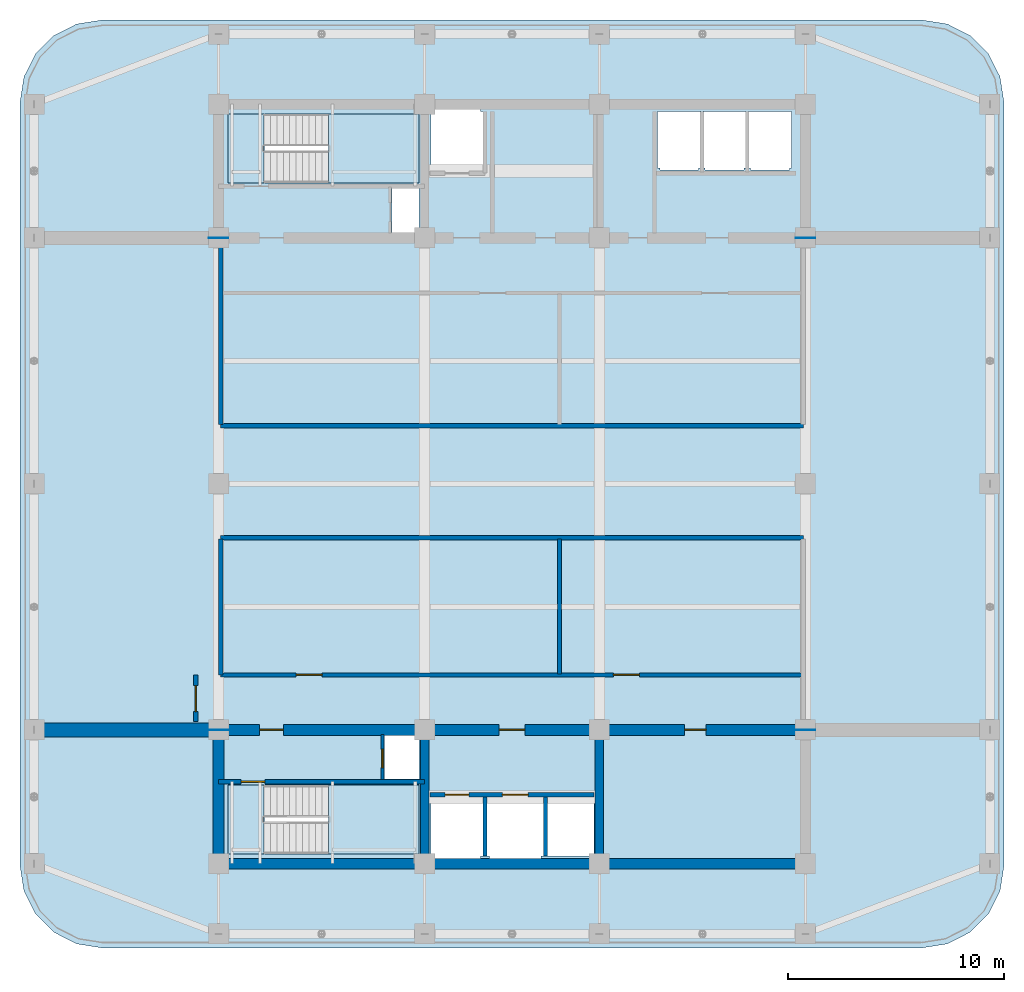
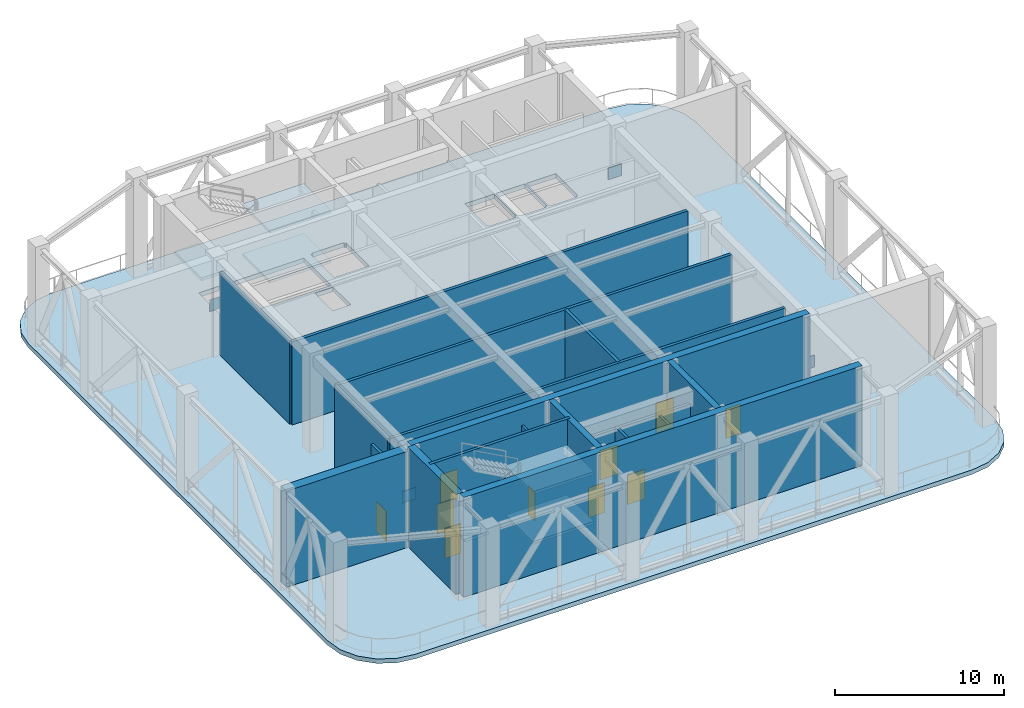
# One storey, part 9 of 20: 18 walls, 10 doors, 7 slabs, 4 plates, 10 openings, 2 elements without a shape of their own.
"""IFC4 building model written with IfcOpenShell, lengths in metres."""

import ifcopenshell
import ifcopenshell.guid

model = None  # the IFC model being written
_history = None  # IfcOwnerHistory: only IFC2X3 demands one
_inside = {}  # id of a spatial element -> (the spatial element, [elements in it])
_under = {}  # id of a project, library or spatial element -> (it, [spatial elements below it])
_declared = {}  # id of a project -> (the project, [libraries it declares])
_typed = {}  # id of a type object -> (the type object, [elements of that type])
_made_of = {}  # id of a material, layer set ... -> (it, [elements and type objects made of it])


def new_model(schema):
    """Start an empty IFC model of exactly this schema.

    Asked for "IFC4X3", IfcOpenShell would pick the latest addendum, in which some entities
    have other attributes; the version numbers below select the first issue.
    IFC2X3 requires an IfcOwnerHistory on every rooted entity: one is made here for all.
    """
    global model, _history
    if schema == "IFC4X3":
        model = ifcopenshell.file(schema_version=(4, 3, 0, 0))
    else:
        model = ifcopenshell.file(schema=schema)
    _inside.clear()
    _under.clear()
    _declared.clear()
    _typed.clear()
    _made_of.clear()
    _history = None
    if model.schema == "IFC2X3":
        org = make("IfcOrganization", Name="unknown")
        user = make(
            "IfcPersonAndOrganization",
            ThePerson=make("IfcPerson", FamilyName="unknown"),
            TheOrganization=org,
        )
        app = make(
            "IfcApplication",
            ApplicationDeveloper=org,
            Version="unknown",
            ApplicationFullName="unknown",
            ApplicationIdentifier="unknown",
        )
        _history = make(
            "IfcOwnerHistory",
            OwningUser=user,
            OwningApplication=app,
            ChangeAction="ADDED",
            CreationDate=0,
        )
    return model


def make(cls, **values):
    """One entity of the class cls with the attributes given. An attribute that is None is left unset."""
    return model.create_entity(
        cls, **{name: value for name, value in values.items() if value is not None}
    )


def rooted(cls, **values):
    """An entity with a GlobalId (a new one), such as an element, a storey or a relation."""
    return make(cls, GlobalId=ifcopenshell.guid.new(), OwnerHistory=_history, **values)


def si_unit(unit_type, name, prefix=None):
    """IfcSIUnit, for example si_unit("LENGTHUNIT", "METRE", prefix="MILLI")."""
    return make("IfcSIUnit", UnitType=unit_type, Prefix=prefix, Name=name)


def assignment(units):
    """IfcUnitAssignment: the units of a project."""
    return None if units is None else make("IfcUnitAssignment", Units=units)


def point(xyz):
    """IfcCartesianPoint."""
    return None if xyz is None else make("IfcCartesianPoint", Coordinates=xyz)


def direction(xyz):
    """IfcDirection."""
    return None if xyz is None else make("IfcDirection", DirectionRatios=xyz)


def frame(location, z_axis=None, x_axis=None):
    """IfcAxis2Placement3D, a coordinate frame: its origin and axes. An axis left out is left unset."""
    return make(
        "IfcAxis2Placement3D",
        Location=point(location),
        Axis=direction(z_axis),
        RefDirection=direction(x_axis),
    )


def frame_2d(location, x_axis=None):
    """IfcAxis2Placement2D, a coordinate frame in the plane: its origin and x axis."""
    return make(
        "IfcAxis2Placement2D", Location=point(location), RefDirection=direction(x_axis)
    )


def origin():
    """The frame at (0, 0, 0) with its axes left unset."""
    return frame((0.0, 0.0, 0.0))


def origin_2d():
    """The frame at (0, 0) in the plane with its x axis left unset."""
    return frame_2d((0.0, 0.0))


def place(relative_to, where):
    """IfcLocalPlacement: puts the frame where relative to a parent placement (None: the world)."""
    return make(
        "IfcLocalPlacement", PlacementRelTo=relative_to, RelativePlacement=where
    )


def context(
    kind, dimensions, precision=None, world=None, true_north=None, identifier=None
):
    """IfcGeometricRepresentationContext, for example the 3D "Model" context."""
    return make(
        "IfcGeometricRepresentationContext",
        ContextIdentifier=identifier,
        ContextType=kind,
        CoordinateSpaceDimension=dimensions,
        Precision=precision,
        WorldCoordinateSystem=world,
        TrueNorth=true_north,
    )


def subcontext(parent, identifier, kind, view, scale=None):
    """IfcGeometricRepresentationSubContext, for example "Body" below "Model"."""
    return make(
        "IfcGeometricRepresentationSubContext",
        ContextIdentifier=identifier,
        ContextType=kind,
        ParentContext=parent,
        TargetScale=scale,
        TargetView=view,
    )


def project(units=None, contexts=None):
    """IfcProject with its units and contexts."""
    return rooted(
        "IfcProject",
        Name="project",
        RepresentationContexts=contexts,
        UnitsInContext=assignment(units),
    )


def spatial(cls, under=None, at=None, **own):
    """A site, building, storey or space (cls), placed at a placement, below another one or the project."""
    s = rooted(cls, ObjectPlacement=at, **own)
    if under is not None:
        _under.setdefault(under.id(), (under, []))[1].append(s)
    return s


def polyline(points):
    """IfcPolyline through the points."""
    return make("IfcPolyline", Points=[point(p) for p in points])


def profile(cls, at=None, kind="AREA", **sizes):
    """A parametric profile (cls). Its sizes go by their IFC names, for example OverallWidth=200.0."""
    return make(cls, ProfileType=kind, Position=at, **sizes)


def rectangle(**sizes):
    """IfcRectangleProfileDef."""
    return profile("IfcRectangleProfileDef", **sizes)


def outline(outer, holes=None, kind="AREA"):
    """IfcArbitraryClosedProfileDef: a profile drawn as a closed curve; with holes, ...WithVoids."""
    if holes is None:
        return make("IfcArbitraryClosedProfileDef", ProfileType=kind, OuterCurve=outer)
    return make(
        "IfcArbitraryProfileDefWithVoids",
        ProfileType=kind,
        OuterCurve=outer,
        InnerCurves=holes,
    )


def extrude(swept, where, along, depth):
    """IfcExtrudedAreaSolid: the profile swept, set in the frame where, extruded along a direction by depth."""
    return make(
        "IfcExtrudedAreaSolid",
        SweptArea=swept,
        Position=where,
        ExtrudedDirection=direction(along),
        Depth=depth,
    )


def shape(context_of_items, identifier, shape_type, items):
    """IfcShapeRepresentation: the items that make up one representation, for example the "Body"."""
    return make(
        "IfcShapeRepresentation",
        ContextOfItems=context_of_items,
        RepresentationIdentifier=identifier,
        RepresentationType=shape_type,
        Items=items,
    )


def material(Name=None, Category=None):
    """IfcMaterial."""
    return make("IfcMaterial", Name=Name, Category=Category)


def layer(
    of_material, thickness, ventilated=None, Name=None, Category=None, Priority=None
):
    """IfcMaterialLayer: one layer of a wall or slab, of a material (None: an air gap)."""
    return make(
        "IfcMaterialLayer",
        Material=of_material,
        LayerThickness=thickness,
        IsVentilated=ventilated,
        Name=Name,
        Category=Category,
        Priority=Priority,
    )


def layer_set(layers, Name=None):
    """IfcMaterialLayerSet."""
    return make("IfcMaterialLayerSet", MaterialLayers=layers, LayerSetName=Name)


def made_of(thing, what):
    """Note that an element or type object is made of a material, layer set ...; save() writes the relation."""
    if what is not None:
        _made_of.setdefault(what.id(), (what, []))[1].append(thing)
    return thing


def type_object(cls, material=None, **own):
    """A type object (cls), such as IfcWallType, which elements share."""
    return made_of(rooted(cls, **own), material)


def element(
    cls,
    number,
    at=None,
    inside=None,
    cuts=None,
    type_object=None,
    material=None,
    context=None,
    identifier="Body",
    shape_type=None,
    held_by="IfcProductDefinitionShape",
    body=None,
    shapes=None,
    **own,
):
    """One element of the class cls, such as IfcWall. Its Tag is "e" and its number.

    at: its placement. inside: the storey or other place that contains it. cuts: it is an
    opening in that element (IfcRelVoidsElement). A single representation is given by context,
    identifier, shape_type and body (its items); several are given by shapes. held_by: the class
    of the entity that holds the representations. save() writes the other relations.
    """
    e = rooted(cls, Tag="e%d" % number, ObjectPlacement=at, **own)
    if body is not None:
        shapes = [shape(context, identifier, shape_type, body)]
    if shapes is not None:
        e.Representation = make(held_by, Representations=shapes)
    if inside is not None:
        _inside.setdefault(inside.id(), (inside, []))[1].append(e)
    if cuts is not None:
        rooted(
            "IfcRelVoidsElement", RelatingBuildingElement=cuts, RelatedOpeningElement=e
        )
    if type_object is not None:
        _typed.setdefault(type_object.id(), (type_object, []))[1].append(e)
    return made_of(e, material)


def fill(opening, filler):
    """IfcRelFillsElement: the door or window that sits in an opening."""
    return rooted(
        "IfcRelFillsElement",
        RelatingOpeningElement=opening,
        RelatedBuildingElement=filler,
    )


def aggregate(whole, parts):
    """IfcRelAggregates: a whole, such as a stair, and the parts it consists of."""
    return rooted("IfcRelAggregates", RelatingObject=whole, RelatedObjects=parts)


def save(model, path):
    """Write the relations noted so far, then the file.

    IfcRelAggregates (storeys below a building ...), IfcRelContainedInSpatialStructure (elements
    in a storey), IfcRelDefinesByType, IfcRelAssociatesMaterial and IfcRelDeclares: one each for
    every whole, place, type object, material and project.
    """
    for whole, parts in _under.values():
        aggregate(whole, parts)
    for where, things in _inside.values():
        rooted(
            "IfcRelContainedInSpatialStructure",
            RelatedElements=things,
            RelatingStructure=where,
        )
    for kind, things in _typed.values():
        rooted("IfcRelDefinesByType", RelatedObjects=things, RelatingType=kind)
    for what, things in _made_of.values():
        rooted("IfcRelAssociatesMaterial", RelatedObjects=things, RelatingMaterial=what)
    for by, libraries in _declared.values():
        rooted("IfcRelDeclares", RelatingContext=by, RelatedDefinitions=libraries)
    model.write(path)


model = new_model("IFC4")

# Units and contexts
model_context = context("Model", 3, precision=1e-05, world=origin(), true_north=direction((0.0, 1.0)))
body_context = subcontext(model_context, "Body", "Model", "MODEL_VIEW")
ifc_project = project(units=[si_unit("LENGTHUNIT", "METRE"), si_unit("AREAUNIT", "SQUARE_METRE"), si_unit("VOLUMEUNIT", "CUBIC_METRE"), si_unit("PLANEANGLEUNIT", "RADIAN"), si_unit("MASSUNIT", "GRAM", prefix="KILO")], contexts=[model_context])

# Site, building, storey
site_placement = place(None, origin())
site = spatial("IfcSite", under=ifc_project, at=site_placement, CompositionType="ELEMENT")
building_placement = place(site_placement, origin())
building = spatial("IfcBuilding", under=site, at=building_placement, Name="Svetorya Sky Lyceum", CompositionType="ELEMENT")
storey_placement = place(building_placement, frame((0.0, 0.0, 195.89990234375)))
storey = spatial("IfcBuildingStorey", under=building, at=storey_placement, Name="L49", CompositionType="ELEMENT", Elevation=195.89990234375)

# Plates
ifc_material_1 = material(Name="Steel S355", Category="steel")
ifc_layer_1 = layer(ifc_material_1, 0.02392578125)
ifc_layer_set_1 = layer_set([ifc_layer_1], Name="Steel S355")
plate_type = type_object("IfcPlateType", Name="PL-GUSSET-24", PredefinedType="USERDEFINED", material=ifc_layer_set_1)
for number, where, z_axis, x_axis, name in (
    (1, (25.60009765625, 16.800048828125, 3.045166015625), (0.0, 0.0, 1.0), (1.0, 0.0, 0.0), "L49 Outrigger Core Gusset Plate 1"),
    (2, (52.800048828125, 16.800048828125, 3.045166015625), (0.0, 0.0, 1.0), (1.0, 0.0, 0.0), "L49 Outrigger Core Gusset Plate 2"),
    (3, (25.60009765625, 39.60009765625, 3.045166015625), (0.0, 0.0, 1.0), (1.0, 0.0, 0.0), "L49 Outrigger Core Gusset Plate 3"),
    (4, (52.800048828125, 39.60009765625, 3.045166015625), (0.0, 0.0, 1.0), (1.0, 0.0, 0.0), "L49 Outrigger Core Gusset Plate 4"),
):
    element("IfcPlate", number, at=place(storey_placement, frame(where, z_axis=z_axis, x_axis=x_axis)), inside=storey, type_object=plate_type, Name=name, ObjectType="GUSSET", PredefinedType="USERDEFINED", context=body_context, shape_type="SweptSolid", body=[
        extrude(rectangle(XDim=0.89990234375, YDim=0.02392578125, at=origin_2d()), origin(), (0.0, 0.0, 1.0), 0.85009765625),
    ])

# Slab
ifc_material_2 = material(Name="Concrete C50/60", Category="concrete")
ifc_layer_2 = layer(ifc_material_2, 0.320068359375)
ifc_layer_set_2 = layer_set([ifc_layer_2], Name="Concrete C50/60")
slab_type_1 = type_object("IfcSlabType", Name="SL-PRT-320", PredefinedType="FLOOR", material=ifc_layer_set_2)
slab_1_placement = place(storey_placement, frame((0.0, 0.0, -0.31982421875)))
element("IfcSlab", 5, at=slab_1_placement, inside=storey, type_object=slab_type_1, Name="L49 Structural Floor Slab", PredefinedType="FLOOR", context=body_context, shape_type="SweptSolid", body=[
    extrude(outline(polyline([(16.39990234375, 10.5), (16.5859375, 9.32568359375), (17.125732421875, 8.266357421875), (17.96630859375, 7.42578125), (19.025634765625, 6.885986328125), (20.199951171875, 6.699951171875), (58.199951171875, 6.699951171875), (59.374267578125, 6.885986328125), (60.43359375, 7.42578125), (61.2744140625, 8.266357421875), (61.81396484375, 9.32568359375), (62.0, 10.5), (62.0, 45.89990234375), (61.81396484375, 47.07421875), (61.2744140625, 48.133544921875), (60.43359375, 48.974365234375), (59.374267578125, 49.513916015625), (58.199951171875, 49.699951171875), (20.199951171875, 49.699951171875), (19.025634765625, 49.513916015625), (17.96630859375, 48.974365234375), (17.125732421875, 48.133544921875), (16.5859375, 47.07421875), (16.39990234375, 45.89990234375), (16.39990234375, 10.5)]), holes=[polyline([(37.85009765625, 10.949951171875), (37.75, 10.949951171875), (37.75, 10.85009765625), (35.550048828125, 10.85009765625), (35.550048828125, 10.949951171875), (35.449951171875, 10.949951171875), (35.449951171875, 13.64990234375), (35.550048828125, 13.64990234375), (37.75, 13.64990234375), (37.85009765625, 13.64990234375), (37.85009765625, 10.949951171875)]), polyline([(38.14990234375, 10.800048828125), (38.14990234375, 10.949951171875), (38.050048828125, 10.949951171875), (38.050048828125, 13.64990234375), (38.14990234375, 13.64990234375), (38.14990234375, 13.699951171875), (40.550048828125, 13.699951171875), (40.550048828125, 13.64990234375), (40.64990234375, 13.64990234375), (40.64990234375, 10.949951171875), (40.550048828125, 10.949951171875), (40.550048828125, 10.800048828125), (38.14990234375, 10.800048828125)]), polyline([(27.719970703125, 11.050048828125), (27.719970703125, 14.25), (34.89990234375, 14.25), (34.89990234375, 11.050048828125), (27.719970703125, 11.050048828125)]), polyline([(33.300048828125, 14.52001953125), (33.300048828125, 16.580078125), (34.89990234375, 16.580078125), (34.89990234375, 14.52001953125), (33.300048828125, 14.52001953125)]), polyline([(33.64990234375, 39.820068359375), (33.64990234375, 41.89990234375), (34.89990234375, 41.89990234375), (34.89990234375, 39.820068359375), (33.64990234375, 39.820068359375)]), polyline([(27.719970703125, 42.14990234375), (27.719970703125, 45.35009765625), (34.89990234375, 45.35009765625), (34.89990234375, 42.14990234375), (27.719970703125, 42.14990234375)]), polyline([(37.75, 42.75), (35.550048828125, 42.75), (35.449951171875, 42.75), (35.449951171875, 45.449951171875), (35.550048828125, 45.449951171875), (35.550048828125, 45.550048828125), (37.75, 45.550048828125), (37.75, 45.449951171875), (37.85009765625, 45.449951171875), (37.85009765625, 42.75), (37.75, 42.75)]), polyline([(40.85009765625, 10.949951171875), (40.85009765625, 13.64990234375), (43.0, 13.64990234375), (43.0, 10.949951171875), (40.85009765625, 10.949951171875)]), polyline([(46.050048828125, 42.75), (46.050048828125, 42.85009765625), (45.949951171875, 42.85009765625), (45.949951171875, 45.449951171875), (46.050048828125, 45.449951171875), (47.85009765625, 45.449951171875), (47.949951171875, 45.449951171875), (47.949951171875, 42.85009765625), (47.85009765625, 42.85009765625), (47.85009765625, 42.75), (46.050048828125, 42.75)]), polyline([(50.050048828125, 42.85009765625), (49.949951171875, 42.85009765625), (49.949951171875, 42.75), (48.14990234375, 42.75), (48.14990234375, 42.85009765625), (48.050048828125, 42.85009765625), (48.050048828125, 45.449951171875), (48.14990234375, 45.449951171875), (49.949951171875, 45.449951171875), (50.050048828125, 45.449951171875), (50.050048828125, 42.85009765625)]), polyline([(52.14990234375, 42.85009765625), (52.050048828125, 42.85009765625), (52.050048828125, 42.75), (50.25, 42.75), (50.25, 42.85009765625), (50.14990234375, 42.85009765625), (50.14990234375, 45.449951171875), (50.25, 45.449951171875), (52.050048828125, 45.449951171875), (52.14990234375, 45.449951171875), (52.14990234375, 42.85009765625)])]), origin(), (0.0, 0.0, 1.0), 0.31982421875),
])

# Stair, slabs
ifc_material_3 = material(Name="Concrete C40/50", Category="concrete")
stair_type_1 = type_object("IfcStairType", Name="STR-ST-S", PredefinedType="HALF_TURN_STAIR", material=ifc_material_3)
stair_1_placement = place(storey_placement, origin())
stair_1 = element("IfcStair", 6, at=stair_1_placement, inside=storey, type_object=stair_type_1, Name="L49 South Core Smoke-Free Exit Stair N2", PredefinedType="HALF_TURN_STAIR")
ifc_layer_3 = layer(ifc_material_3, 0.199951171875)
ifc_layer_set_3 = layer_set([ifc_layer_3], Name="Concrete C40/50")
slab_type_2 = type_object("IfcSlabType", Name="SL-STR-LAND-200", PredefinedType="LANDING", material=ifc_layer_set_3)
slab_2_placement = place(storey_placement, frame((0.0, 0.0, 1.60009765625)))
slab_2 = element("IfcSlab", 7, at=slab_2_placement, type_object=slab_type_2, Name="ST-S landing 1", PredefinedType="LANDING", context=body_context, shape_type="SweptSolid", body=[
    extrude(outline(polyline([(30.699951171875, 11.050048828125), (34.89990234375, 11.050048828125), (34.89990234375, 14.25), (30.699951171875, 14.25), (30.699951171875, 11.050048828125)])), origin(), (0.0, 0.0, 1.0), 0.199951171875),
])
slab_3_placement = place(storey_placement, frame((0.0, 0.0, 3.400146484375)))
slab_3 = element("IfcSlab", 8, at=slab_3_placement, type_object=slab_type_2, Name="ST-S landing 2", PredefinedType="LANDING", context=body_context, shape_type="SweptSolid", body=[
    extrude(outline(polyline([(26.050048828125, 11.050048828125), (27.699951171875, 11.050048828125), (27.699951171875, 14.25), (26.050048828125, 14.25), (26.050048828125, 11.050048828125)])), origin(), (0.0, 0.0, 1.0), 0.199951171875),
])
slab_4_placement = place(storey_placement, frame((0.0, 0.0, 5.2001953125)))
slab_4 = element("IfcSlab", 9, at=slab_4_placement, type_object=slab_type_2, Name="ST-S landing 3", PredefinedType="LANDING", context=body_context, shape_type="SweptSolid", body=[
    extrude(outline(polyline([(30.699951171875, 11.050048828125), (34.89990234375, 11.050048828125), (34.89990234375, 14.25), (30.699951171875, 14.25), (30.699951171875, 11.050048828125)])), origin(), (0.0, 0.0, 1.0), 0.199951171875),
])
aggregate(stair_1, [slab_2, slab_3, slab_4])

stair_type_2 = type_object("IfcStairType", Name="STR-ST-N", PredefinedType="HALF_TURN_STAIR", material=ifc_material_3)
stair_2_placement = place(storey_placement, origin())
stair_2 = element("IfcStair", 10, at=stair_2_placement, inside=storey, type_object=stair_type_2, Name="L49 North Core Smoke-Free Exit Stair N3", PredefinedType="HALF_TURN_STAIR")
slab_5_placement = place(storey_placement, frame((0.0, 0.0, 1.60009765625)))
slab_5 = element("IfcSlab", 11, at=slab_5_placement, type_object=slab_type_2, Name="ST-N landing 1", PredefinedType="LANDING", context=body_context, shape_type="SweptSolid", body=[
    extrude(outline(polyline([(30.699951171875, 42.14990234375), (34.89990234375, 42.14990234375), (34.89990234375, 45.35009765625), (30.699951171875, 45.35009765625), (30.699951171875, 42.14990234375)])), origin(), (0.0, 0.0, 1.0), 0.199951171875),
])
slab_6_placement = place(storey_placement, frame((0.0, 0.0, 3.400146484375)))
slab_6 = element("IfcSlab", 12, at=slab_6_placement, type_object=slab_type_2, Name="ST-N landing 2", PredefinedType="LANDING", context=body_context, shape_type="SweptSolid", body=[
    extrude(outline(polyline([(26.050048828125, 42.14990234375), (27.699951171875, 42.14990234375), (27.699951171875, 45.35009765625), (26.050048828125, 45.35009765625), (26.050048828125, 42.14990234375)])), origin(), (0.0, 0.0, 1.0), 0.199951171875),
])
slab_7_placement = place(storey_placement, frame((0.0, 0.0, 5.2001953125)))
slab_7 = element("IfcSlab", 13, at=slab_7_placement, type_object=slab_type_2, Name="ST-N landing 3", PredefinedType="LANDING", context=body_context, shape_type="SweptSolid", body=[
    extrude(outline(polyline([(30.699951171875, 42.14990234375), (34.89990234375, 42.14990234375), (34.89990234375, 45.35009765625), (30.699951171875, 45.35009765625), (30.699951171875, 42.14990234375)])), origin(), (0.0, 0.0, 1.0), 0.199951171875),
])
aggregate(stair_2, [slab_5, slab_6, slab_7])

# Walls
ifc_layer_4 = layer(ifc_material_3, 0.39990234375)
ifc_layer_set_4 = layer_set([ifc_layer_4], Name="Concrete C40/50")
wall_type_1 = type_object("IfcWallType", Name="WL-CORE-400", PredefinedType="SHEAR", material=ifc_layer_set_4)
for number, where, z_axis, x_axis, name in (
    (14, (35.14990234375, 10.85009765625, 0.0), (0.0, 0.0, 1.0), (0.0, 1.0, 0.0), "L49 SC Internal Shear Web WEB1"),
    (15, (43.25, 10.85009765625, 0.0), (0.0, 0.0, 1.0), (0.0, 1.0, 0.0), "L49 SC Internal Shear Web WEB2"),
):
    element("IfcWall", number, at=place(storey_placement, frame(where, z_axis=z_axis, x_axis=x_axis)), inside=storey, type_object=wall_type_1, Name=name, PredefinedType="SHEAR", context=body_context, shape_type="SweptSolid", body=[
        extrude(rectangle(XDim=5.699951171875, YDim=0.39990234375, at=frame_2d((2.85009765625, 0.0))), origin(), (0.0, 0.0, 1.0), 7.2001953125),
    ])
ifc_layer_5 = layer(ifc_material_2, 0.5)
ifc_layer_set_5 = layer_set([ifc_layer_5], Name="Concrete C50/60")
wall_type_2 = type_object("IfcWallType", Name="WL-CORE-500", PredefinedType="SHEAR", material=ifc_layer_set_5)
wall_1_placement = place(storey_placement, frame((52.800048828125, 10.60009765625, 0.0), z_axis=(0.0, 0.0, 1.0), x_axis=(-1.0, 0.0, 0.0)))
element("IfcWall", 16, at=wall_1_placement, inside=storey, type_object=wall_type_2, Name="L49 SC Outer Core Shear Wall", PredefinedType="SHEAR", context=body_context, shape_type="SweptSolid", body=[
    extrude(rectangle(XDim=27.199951171875, YDim=0.5, at=frame_2d((13.60009765625, 0.0))), origin(), (0.0, 0.0, 1.0), 7.2001953125),
])
wall_2_placement = place(storey_placement, frame((25.60009765625, 10.85009765625, 0.0), z_axis=(0.0, 0.0, 1.0), x_axis=(0.0, 1.0, 0.0)))
element("IfcWall", 17, at=wall_2_placement, inside=storey, type_object=wall_type_2, Name="L49 SC West Core Shear Wall", PredefinedType="SHEAR", context=body_context, shape_type="SweptSolid", body=[
    extrude(rectangle(XDim=5.699951171875, YDim=0.5, at=frame_2d((2.85009765625, 0.0))), origin(), (0.0, 0.0, 1.0), 7.2001953125),
])

# Wall, openings, doors
wall_3_placement = place(storey_placement, frame((25.60009765625, 16.800048828125, 0.0), z_axis=(0.0, 0.0, 1.0), x_axis=(1.0, 0.0, 0.0)))
wall_3 = element("IfcWall", 18, at=wall_3_placement, inside=storey, type_object=wall_type_2, Name="L49 SC Inner Core Shear Wall", PredefinedType="SHEAR", context=body_context, shape_type="SweptSolid", body=[
    extrude(rectangle(XDim=27.199951171875, YDim=0.5, at=frame_2d((13.60009765625, 0.0))), origin(), (0.0, 0.0, 1.0), 7.2001953125),
])
opening_1_placement = place(wall_3_placement, frame((1.89990234375, 0.0, 0.0)))
opening_1 = element("IfcOpeningElement", 19, at=opening_1_placement, cuts=wall_3, Name="Opening D-ST1", PredefinedType="OPENING", context=body_context, shape_type="SweptSolid", body=[
    extrude(rectangle(XDim=1.10009765625, YDim=2.14990234375, at=frame_2d((0.550048828125, 1.074951171875))), frame((0.0, 0.260009765625, 0.0), z_axis=(0.0, -1.0, 0.0), x_axis=(1.0, 0.0, 0.0)), (0.0, 0.0, 1.0), 0.52001953125),
])
opening_2_placement = place(wall_3_placement, frame((13.0, 0.0, 0.0)))
opening_2 = element("IfcOpeningElement", 20, at=opening_2_placement, cuts=wall_3, Name="Opening D-FL1", PredefinedType="OPENING", context=body_context, shape_type="SweptSolid", body=[
    extrude(rectangle(XDim=1.199951171875, YDim=2.14990234375, at=frame_2d((0.60009765625, 1.074951171875))), frame((0.0, 0.260009765625, 0.0), z_axis=(0.0, -1.0, 0.0), x_axis=(1.0, 0.0, 0.0)), (0.0, 0.0, 1.0), 0.52001953125),
])
opening_3_placement = place(wall_3_placement, frame((21.60009765625, 0.0, 0.0)))
opening_3 = element("IfcOpeningElement", 21, at=opening_3_placement, cuts=wall_3, Name="Opening D-RM2", PredefinedType="OPENING", context=body_context, shape_type="SweptSolid", body=[
    extrude(rectangle(XDim=1.0, YDim=2.14990234375, at=frame_2d((0.5, 1.074951171875))), frame((0.0, 0.260009765625, 0.0), z_axis=(0.0, -1.0, 0.0), x_axis=(1.0, 0.0, 0.0)), (0.0, 0.0, 1.0), 0.52001953125),
])
ifc_material_4 = material(Name="Powder-coated insulated galvanized stair fire door")
door_type_1 = type_object("IfcDoorType", Name="DR-FIRE-1100", OperationType="SINGLE_SWING_LEFT", PredefinedType="DOOR", material=ifc_material_4)
door_1_placement = place(opening_1_placement, origin())
door_1 = element("IfcDoor", 22, at=door_1_placement, inside=storey, type_object=door_type_1, Name="L49 South Stair Airlock Door", OperationType="SINGLE_SWING_RIGHT", OverallHeight=2.14990234375, OverallWidth=1.10009765625, PredefinedType="DOOR", context=body_context, shape_type="SweptSolid", body=[
    extrude(rectangle(XDim=1.10009765625, YDim=2.14990234375, at=frame_2d((0.550048828125, 1.074951171875))), frame((0.0, 0.02490234375, 0.0), z_axis=(0.0, -1.0, 0.0), x_axis=(1.0, 0.0, 0.0)), (0.0, 0.0, 1.0), 0.050048828125),
])
fill(opening_1, door_1)
ifc_material_5 = material(Name="Powder-coated insulated galvanized fire door")
door_type_2 = type_object("IfcDoorType", Name="DR-FIRE-1200", OperationType="SINGLE_SWING_LEFT", PredefinedType="DOOR", material=ifc_material_5)
door_2_placement = place(opening_2_placement, origin())
door_2 = element("IfcDoor", 23, at=door_2_placement, inside=storey, type_object=door_type_2, Name="L49 South Firefighting Lift Lobby Door", OperationType="SINGLE_SWING_LEFT", OverallHeight=2.14990234375, OverallWidth=1.199951171875, PredefinedType="DOOR", context=body_context, shape_type="SweptSolid", body=[
    extrude(rectangle(XDim=1.199951171875, YDim=2.14990234375, at=frame_2d((0.60009765625, 1.074951171875))), frame((0.0, 0.02490234375, 0.0), z_axis=(0.0, -1.0, 0.0), x_axis=(1.0, 0.0, 0.0)), (0.0, 0.0, 1.0), 0.050048828125),
])
fill(opening_2, door_2)
ifc_material_6 = material(Name="Solid-core oak acoustic room door")
door_type_3 = type_object("IfcDoorType", Name="DR-INT-1000", OperationType="SINGLE_SWING_LEFT", PredefinedType="DOOR", material=ifc_material_6)
door_3_placement = place(opening_3_placement, origin())
door_3 = element("IfcDoor", 24, at=door_3_placement, inside=storey, type_object=door_type_3, Name="L49 Trunk Store Door", OperationType="SINGLE_SWING_LEFT", OverallHeight=2.14990234375, OverallWidth=1.0, PredefinedType="DOOR", context=body_context, shape_type="SweptSolid", body=[
    extrude(rectangle(XDim=1.0, YDim=2.14990234375, at=frame_2d((0.5, 1.074951171875))), frame((0.0, 0.02490234375, 0.0), z_axis=(0.0, -1.0, 0.0), x_axis=(1.0, 0.0, 0.0)), (0.0, 0.0, 1.0), 0.050048828125),
])
fill(opening_3, door_3)

# Wall
ifc_material_7 = material(Name="Concrete C60/75", Category="concrete")
ifc_layer_6 = layer(ifc_material_7, 0.64990234375)
ifc_layer_set_6 = layer_set([ifc_layer_6], Name="Concrete C60/75")
wall_type_3 = type_object("IfcWallType", Name="WL-OUTRIGGER-650", PredefinedType="SHEAR", material=ifc_layer_set_6)
wall_4_placement = place(storey_placement, frame((17.050048828125, 16.800048828125, 0.0), z_axis=(0.0, 0.0, 1.0), x_axis=(1.0, 0.0, 0.0)))
element("IfcWall", 25, at=wall_4_placement, inside=storey, type_object=wall_type_3, Name="L49 Concrete Outrigger Wall SW", PredefinedType="SHEAR", context=body_context, shape_type="SweptSolid", body=[
    extrude(rectangle(XDim=8.550048828125, YDim=0.64990234375, at=frame_2d((4.27490234375, 0.0))), origin(), (0.0, 0.0, 1.0), 6.940185546875),
])

# Wall, opening, door
ifc_material_8 = material(Name="Autoclaved cellular masonry blockwork with acoustic render", Category="masonry")
ifc_layer_7 = layer(ifc_material_8, 0.14990234375)
ifc_layer_set_7 = layer_set([ifc_layer_7], Name="Autoclaved cellular masonry blockwork with acoustic render")
wall_type_4 = type_object("IfcWallType", Name="WL-PART-150", PredefinedType="PARTITIONING", material=ifc_layer_set_7)
wall_5_placement = place(storey_placement, frame((33.199951171875, 14.5, 0.0), z_axis=(0.0, 0.0, 1.0), x_axis=(0.0, 1.0, 0.0)))
wall_5 = element("IfcWall", 26, at=wall_5_placement, inside=storey, type_object=wall_type_4, Name="L49 Interior Partition SC-AIRDIV", PredefinedType="PARTITIONING", context=body_context, shape_type="SweptSolid", body=[
    extrude(rectangle(XDim=2.080078125, YDim=0.14990234375, at=frame_2d((1.0400390625, 0.0))), origin(), (0.0, 0.0, 1.0), 6.0),
])
opening_4_placement = place(wall_5_placement, frame((0.550048828125, 0.0, 0.0)))
opening_4 = element("IfcOpeningElement", 27, at=opening_4_placement, cuts=wall_5, Name="Opening D-SH1", PredefinedType="OPENING", context=body_context, shape_type="SweptSolid", body=[
    extrude(rectangle(XDim=0.85009765625, YDim=2.050048828125, at=frame_2d((0.425048828125, 1.02490234375))), frame((0.0, 0.0849609375, 0.0), z_axis=(0.0, -1.0, 0.0), x_axis=(1.0, 0.0, 0.0)), (0.0, 0.0, 1.0), 0.169921875),
])
ifc_material_9 = material(Name="Insulated galvanized riser inspection fire door")
door_type_4 = type_object("IfcDoorType", Name="DR-SHFT-850", OperationType="SINGLE_SWING_LEFT", PredefinedType="TRAPDOOR", material=ifc_material_9)
door_4_placement = place(opening_4_placement, origin())
door_4 = element("IfcDoor", 28, at=door_4_placement, inside=storey, type_object=door_type_4, Name="L49 South Riser Access Door", OperationType="SINGLE_SWING_RIGHT", OverallHeight=2.050048828125, OverallWidth=0.85009765625, PredefinedType="TRAPDOOR", context=body_context, shape_type="SweptSolid", body=[
    extrude(rectangle(XDim=0.85009765625, YDim=2.050048828125, at=frame_2d((0.425048828125, 1.02490234375))), frame((0.0, 0.02490234375, 0.0), z_axis=(0.0, -1.0, 0.0), x_axis=(1.0, 0.0, 0.0)), (0.0, 0.0, 1.0), 0.050048828125),
])
fill(opening_4, door_4)

# Walls
ifc_material_10 = material(Name="Autoclaved cellular masonry blockwork with fire render", Category="masonry")
ifc_layer_8 = layer(ifc_material_10, 0.175048828125)
ifc_layer_set_8 = layer_set([ifc_layer_8], Name="Autoclaved cellular masonry blockwork with fire render")
wall_type_5 = type_object("IfcWallType", Name="WL-PART-175", PredefinedType="PARTITIONING", material=ifc_layer_set_8)
for number, where, z_axis, x_axis, name in (
    (29, (37.949951171875, 10.949951171875, 0.0), (0.0, 0.0, 1.0), (0.0, 1.0, 0.0), "L49 Interior Partition SC-SHD1"),
    (30, (40.75, 10.949951171875, 0.0), (0.0, 0.0, 1.0), (0.0, 1.0, 0.0), "L49 Interior Partition SC-SHD2"),
):
    element("IfcWall", number, at=place(storey_placement, frame(where, z_axis=z_axis, x_axis=x_axis)), inside=storey, type_object=wall_type_5, Name=name, PredefinedType="PARTITIONING", context=body_context, shape_type="SweptSolid", body=[
        extrude(rectangle(XDim=2.75, YDim=0.175048828125, at=frame_2d((1.375, 0.0))), origin(), (0.0, 0.0, 1.0), 6.0),
    ])

# Wall, openings, doors
ifc_material_11 = material(Name="Autoclaved cellular masonry blockwork with gypsum plaster", Category="masonry")
ifc_layer_9 = layer(ifc_material_11, 0.199951171875)
ifc_layer_set_9 = layer_set([ifc_layer_9], Name="Autoclaved cellular masonry blockwork with gypsum plaster")
wall_type_6 = type_object("IfcWallType", Name="WL-PART-200", PredefinedType="PARTITIONING", material=ifc_layer_set_9)
wall_6_placement = place(storey_placement, frame((35.39990234375, 13.800048828125, 0.0), z_axis=(0.0, 0.0, 1.0), x_axis=(1.0, 0.0, 0.0)))
wall_6 = element("IfcWall", 31, at=wall_6_placement, inside=storey, type_object=wall_type_6, Name="L49 Interior Partition SC-FLW", PredefinedType="PARTITIONING", context=body_context, shape_type="SweptSolid", body=[
    extrude(rectangle(XDim=7.60009765625, YDim=0.199951171875, at=frame_2d((3.800048828125, 0.0))), origin(), (0.0, 0.0, 1.0), 5.820068359375),
])
opening_5_placement = place(wall_6_placement, frame((0.699951171875, 0.0, 0.0)))
opening_5 = element("IfcOpeningElement", 32, at=opening_5_placement, cuts=wall_6, Name="Opening LD-FL", PredefinedType="OPENING", context=body_context, shape_type="SweptSolid", body=[
    extrude(rectangle(XDim=1.10009765625, YDim=2.14990234375, at=frame_2d((0.550048828125, 1.074951171875))), frame((0.0, 0.10986328125, 0.0), z_axis=(0.0, -1.0, 0.0), x_axis=(1.0, 0.0, 0.0)), (0.0, 0.0, 1.0), 0.219970703125),
])
opening_6_placement = place(wall_6_placement, frame((3.35009765625, 0.0, 0.0)))
opening_6 = element("IfcOpeningElement", 33, at=opening_6_placement, cuts=wall_6, Name="Opening LD-SV", PredefinedType="OPENING", context=body_context, shape_type="SweptSolid", body=[
    extrude(rectangle(XDim=1.199951171875, YDim=2.14990234375, at=frame_2d((0.60009765625, 1.074951171875))), frame((0.0, 0.10986328125, 0.0), z_axis=(0.0, -1.0, 0.0), x_axis=(1.0, 0.0, 0.0)), (0.0, 0.0, 1.0), 0.219970703125),
])
ifc_material_12 = material(Name="Fire-rated stainless AISI 304 firefighting lift landing door")
door_type_5 = type_object("IfcDoorType", Name="DR-LIFT-1100", OperationType="SLIDING_TO_LEFT", PredefinedType="DOOR", material=ifc_material_12)
door_5_placement = place(opening_5_placement, origin())
door_5 = element("IfcDoor", 34, at=door_5_placement, inside=storey, type_object=door_type_5, Name="L49 Firefighting Lift FL2 Landing Door", OperationType="SLIDING_TO_LEFT", OverallHeight=2.14990234375, OverallWidth=1.10009765625, PredefinedType="DOOR", context=body_context, shape_type="SweptSolid", body=[
    extrude(rectangle(XDim=1.10009765625, YDim=2.14990234375, at=frame_2d((0.550048828125, 1.074951171875))), frame((0.0, 0.02490234375, 0.0), z_axis=(0.0, -1.0, 0.0), x_axis=(1.0, 0.0, 0.0)), (0.0, 0.0, 1.0), 0.050048828125),
])
fill(opening_5, door_5)
ifc_material_13 = material(Name="Brushed stainless AISI 304 telescopic lift landing door")
door_type_6 = type_object("IfcDoorType", Name="DR-LIFT-1200", OperationType="SLIDING_TO_LEFT", PredefinedType="DOOR", material=ifc_material_13)
door_6_placement = place(opening_6_placement, origin())
door_6 = element("IfcDoor", 35, at=door_6_placement, inside=storey, type_object=door_type_6, Name="L49 Service Lift SVL1 Landing Door", OperationType="SLIDING_TO_LEFT", OverallHeight=2.14990234375, OverallWidth=1.199951171875, PredefinedType="DOOR", context=body_context, shape_type="SweptSolid", body=[
    extrude(rectangle(XDim=1.199951171875, YDim=2.14990234375, at=frame_2d((0.60009765625, 1.074951171875))), frame((0.0, 0.02490234375, 0.0), z_axis=(0.0, -1.0, 0.0), x_axis=(1.0, 0.0, 0.0)), (0.0, 0.0, 1.0), 0.050048828125),
])
fill(opening_6, door_6)

wall_7_placement = place(storey_placement, frame((25.699951171875, 19.35009765625, 0.0), z_axis=(0.0, 0.0, 1.0), x_axis=(1.0, 0.0, 0.0)))
wall_7 = element("IfcWall", 36, at=wall_7_placement, inside=storey, type_object=wall_type_6, Name="L49 Interior Partition REF-S-IN", PredefinedType="PARTITIONING", context=body_context, shape_type="SweptSolid", body=[
    extrude(rectangle(XDim=27.0, YDim=0.199951171875, at=frame_2d((13.5, 0.0))), origin(), (0.0, 0.0, 1.0), 6.0),
])
opening_7_placement = place(wall_7_placement, frame((3.5, 0.0, 0.0)))
opening_7 = element("IfcOpeningElement", 37, at=opening_7_placement, cuts=wall_7, Name="Opening D-FL1", PredefinedType="OPENING", context=body_context, shape_type="SweptSolid", body=[
    extrude(rectangle(XDim=1.199951171875, YDim=2.14990234375, at=frame_2d((0.60009765625, 1.074951171875))), frame((0.0, 0.10986328125, 0.0), z_axis=(0.0, -1.0, 0.0), x_axis=(1.0, 0.0, 0.0)), (0.0, 0.0, 1.0), 0.219970703125),
])
opening_8_placement = place(wall_7_placement, frame((18.199951171875, 0.0, 0.0)))
opening_8 = element("IfcOpeningElement", 38, at=opening_8_placement, cuts=wall_7, Name="Opening D-FL1", PredefinedType="OPENING", context=body_context, shape_type="SweptSolid", body=[
    extrude(rectangle(XDim=1.199951171875, YDim=2.14990234375, at=frame_2d((0.60009765625, 1.074951171875))), frame((0.0, 0.10986328125, 0.0), z_axis=(0.0, -1.0, 0.0), x_axis=(1.0, 0.0, 0.0)), (0.0, 0.0, 1.0), 0.219970703125),
])
door_7_placement = place(opening_7_placement, origin())
door_7 = element("IfcDoor", 39, at=door_7_placement, inside=storey, type_object=door_type_2, Name="L49 West Refuge Door", OperationType="SINGLE_SWING_LEFT", OverallHeight=2.14990234375, OverallWidth=1.199951171875, PredefinedType="DOOR", context=body_context, shape_type="SweptSolid", body=[
    extrude(rectangle(XDim=1.199951171875, YDim=2.14990234375, at=frame_2d((0.60009765625, 1.074951171875))), frame((0.0, 0.02490234375, 0.0), z_axis=(0.0, -1.0, 0.0), x_axis=(1.0, 0.0, 0.0)), (0.0, 0.0, 1.0), 0.050048828125),
])
fill(opening_7, door_7)
door_8_placement = place(opening_8_placement, origin())
door_8 = element("IfcDoor", 40, at=door_8_placement, inside=storey, type_object=door_type_2, Name="L49 East Refuge Door", OperationType="SINGLE_SWING_RIGHT", OverallHeight=2.14990234375, OverallWidth=1.199951171875, PredefinedType="DOOR", context=body_context, shape_type="SweptSolid", body=[
    extrude(rectangle(XDim=1.199951171875, YDim=2.14990234375, at=frame_2d((0.60009765625, 1.074951171875))), frame((0.0, 0.02490234375, 0.0), z_axis=(0.0, -1.0, 0.0), x_axis=(1.0, 0.0, 0.0)), (0.0, 0.0, 1.0), 0.050048828125),
])
fill(opening_8, door_8)

# Walls
wall_8_placement = place(storey_placement, frame((25.699951171875, 25.699951171875, 0.0), z_axis=(0.0, 0.0, 1.0), x_axis=(1.0, 0.0, 0.0)))
element("IfcWall", 41, at=wall_8_placement, inside=storey, type_object=wall_type_6, Name="L49 Interior Partition REF-S-OUT", PredefinedType="PARTITIONING", context=body_context, shape_type="SweptSolid", body=[
    extrude(rectangle(XDim=27.0, YDim=0.199951171875, at=frame_2d((13.5, 0.0))), origin(), (0.0, 0.0, 1.0), 6.0),
])
wall_9_placement = place(storey_placement, frame((41.39990234375, 19.39990234375, 0.0), z_axis=(0.0, 0.0, 1.0), x_axis=(0.0, 1.0, 0.0)))
element("IfcWall", 42, at=wall_9_placement, inside=storey, type_object=wall_type_6, Name="L49 Interior Partition REF-S-MID", PredefinedType="PARTITIONING", context=body_context, shape_type="SweptSolid", body=[
    extrude(rectangle(XDim=6.25, YDim=0.199951171875, at=frame_2d((3.125, 0.0))), origin(), (0.0, 0.0, 1.0), 6.0),
])

# Wall, opening, door
wall_10_placement = place(storey_placement, frame((24.550048828125, 17.199951171875, 0.0), z_axis=(0.0, 0.0, 1.0), x_axis=(0.0, 1.0, 0.0)))
wall_10 = element("IfcWall", 43, at=wall_10_placement, inside=storey, type_object=wall_type_6, Name="L49 Interior Partition REF-W-END", PredefinedType="PARTITIONING", context=body_context, shape_type="SweptSolid", body=[
    extrude(rectangle(XDim=2.150146484375, YDim=0.199951171875, at=frame_2d((1.0751953125, 0.0))), origin(), (0.0, 0.0, 1.0), 6.0),
])
opening_9_placement = place(wall_10_placement, frame((0.449951171875, 0.0, 0.0)))
opening_9 = element("IfcOpeningElement", 44, at=opening_9_placement, cuts=wall_10, Name="Opening D-FL1", PredefinedType="OPENING", context=body_context, shape_type="SweptSolid", body=[
    extrude(rectangle(XDim=1.199951171875, YDim=2.14990234375, at=frame_2d((0.60009765625, 1.074951171875))), frame((0.0, 0.10986328125, 0.0), z_axis=(0.0, -1.0, 0.0), x_axis=(1.0, 0.0, 0.0)), (0.0, 0.0, 1.0), 0.219970703125),
])
door_9_placement = place(opening_9_placement, origin())
door_9 = element("IfcDoor", 45, at=door_9_placement, inside=storey, type_object=door_type_2, Name="L49 Wind-Portal Maintenance Deck Door", OperationType="SINGLE_SWING_LEFT", OverallHeight=2.14990234375, OverallWidth=1.199951171875, PredefinedType="DOOR", context=body_context, shape_type="SweptSolid", body=[
    extrude(rectangle(XDim=1.199951171875, YDim=2.14990234375, at=frame_2d((0.60009765625, 1.074951171875))), frame((0.0, 0.02490234375, 0.0), z_axis=(0.0, -1.0, 0.0), x_axis=(1.0, 0.0, 0.0)), (0.0, 0.0, 1.0), 0.050048828125),
])
fill(opening_9, door_9)

# Walls
wall_11_placement = place(storey_placement, frame((25.699951171875, 19.35009765625, 0.0), z_axis=(0.0, 0.0, 1.0), x_axis=(0.0, 1.0, 0.0)))
element("IfcWall", 46, at=wall_11_placement, inside=storey, type_object=wall_type_6, Name="L49 Interior Partition REF-W-END2", PredefinedType="PARTITIONING", context=body_context, shape_type="SweptSolid", body=[
    extrude(rectangle(XDim=6.2998046875, YDim=0.199951171875, at=frame_2d((3.14990234375, 0.0))), origin(), (0.0, 0.0, 1.0), 6.0),
])
wall_12_placement = place(storey_placement, frame((25.699951171875, 30.89990234375, 0.0), z_axis=(0.0, 0.0, 1.0), x_axis=(1.0, 0.0, 0.0)))
element("IfcWall", 47, at=wall_12_placement, inside=storey, type_object=wall_type_6, Name="L49 Interior Partition PLT-N-OUT", PredefinedType="PARTITIONING", context=body_context, shape_type="SweptSolid", body=[
    extrude(rectangle(XDim=27.0, YDim=0.199951171875, at=frame_2d((13.5, 0.0))), origin(), (0.0, 0.0, 1.0), 6.0),
])
wall_13_placement = place(storey_placement, frame((25.699951171875, 30.949951171875, 0.0), z_axis=(0.0, 0.0, 1.0), x_axis=(0.0, 1.0, 0.0)))
element("IfcWall", 48, at=wall_13_placement, inside=storey, type_object=wall_type_6, Name="L49 Interior Partition PLT-NW-END", PredefinedType="PARTITIONING", context=body_context, shape_type="SweptSolid", body=[
    extrude(rectangle(XDim=8.25, YDim=0.199951171875, at=frame_2d((4.125, 0.0))), origin(), (0.0, 0.0, 1.0), 6.0),
])

# Wall, opening, door
ifc_layer_10 = layer(ifc_material_2, 0.199951171875)
ifc_layer_set_10 = layer_set([ifc_layer_10], Name="Concrete C50/60")
wall_type_7 = type_object("IfcWallType", Name="WL-SHW-200", PredefinedType="SHEAR", material=ifc_layer_set_10)
wall_14_placement = place(storey_placement, frame((25.60009765625, 14.39990234375, 0.0), z_axis=(0.0, 0.0, 1.0), x_axis=(1.0, 0.0, 0.0)))
wall_14 = element("IfcWall", 49, at=wall_14_placement, inside=storey, type_object=wall_type_7, Name="L49 Structural Stair Shaft Wall SC-STW", PredefinedType="SHEAR", context=body_context, shape_type="SweptSolid", body=[
    extrude(rectangle(XDim=9.5498046875, YDim=0.199951171875, at=frame_2d((4.77490234375, 0.0))), origin(), (0.0, 0.0, 1.0), 7.2001953125),
])
opening_10_placement = place(wall_14_placement, frame((1.050048828125, 0.0, 0.0)))
opening_10 = element("IfcOpeningElement", 50, at=opening_10_placement, cuts=wall_14, Name="Opening D-ST1", PredefinedType="OPENING", context=body_context, shape_type="SweptSolid", body=[
    extrude(rectangle(XDim=1.10009765625, YDim=2.14990234375, at=frame_2d((0.550048828125, 1.074951171875))), frame((0.0, 0.10986328125, 0.0), z_axis=(0.0, -1.0, 0.0), x_axis=(1.0, 0.0, 0.0)), (0.0, 0.0, 1.0), 0.219970703125),
])
door_10_placement = place(opening_10_placement, origin())
door_10 = element("IfcDoor", 51, at=door_10_placement, inside=storey, type_object=door_type_1, Name="L49 Stair ST-S Vestibule Fire Door", OperationType="SINGLE_SWING_LEFT", OverallHeight=2.14990234375, OverallWidth=1.10009765625, PredefinedType="DOOR", context=body_context, shape_type="SweptSolid", body=[
    extrude(rectangle(XDim=1.10009765625, YDim=2.14990234375, at=frame_2d((0.550048828125, 1.074951171875))), frame((0.0, 0.02490234375, 0.0), z_axis=(0.0, -1.0, 0.0), x_axis=(1.0, 0.0, 0.0)), (0.0, 0.0, 1.0), 0.050048828125),
])
fill(opening_10, door_10)

save(model, "model.ifc")
